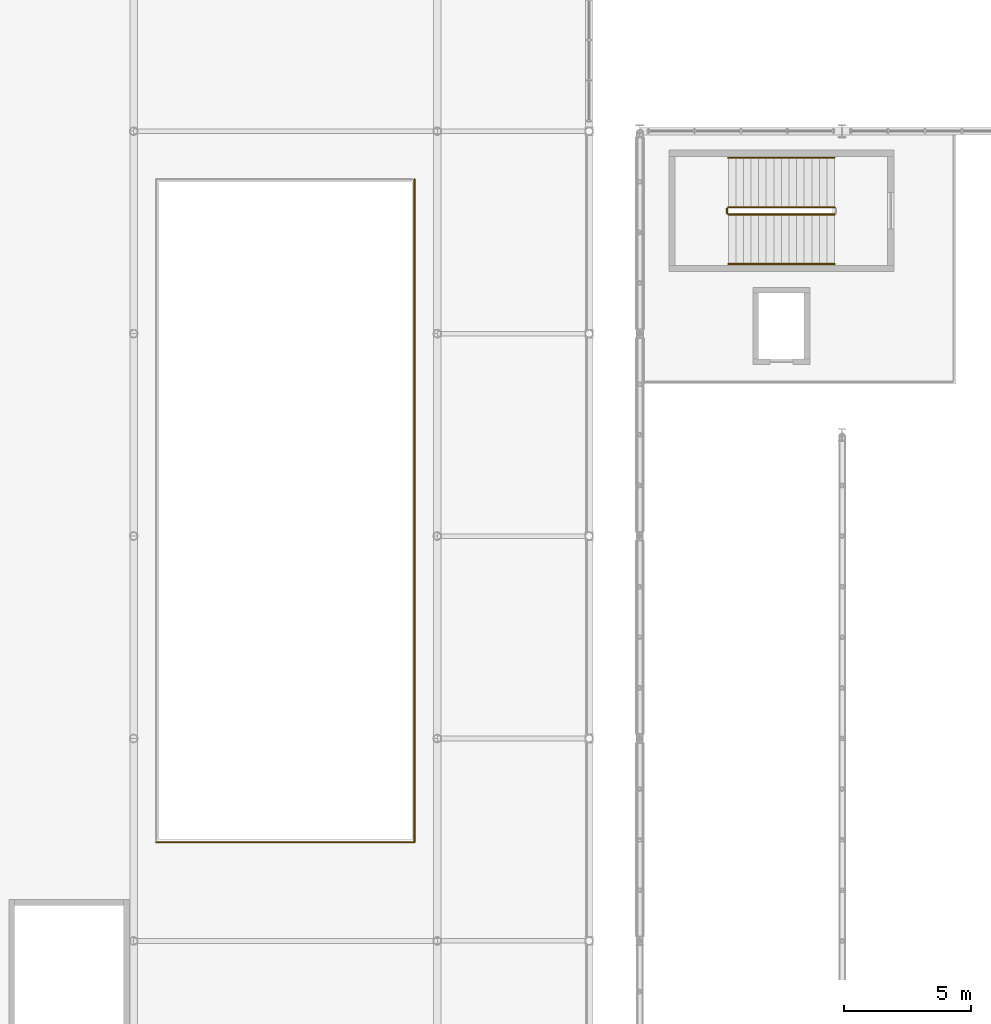
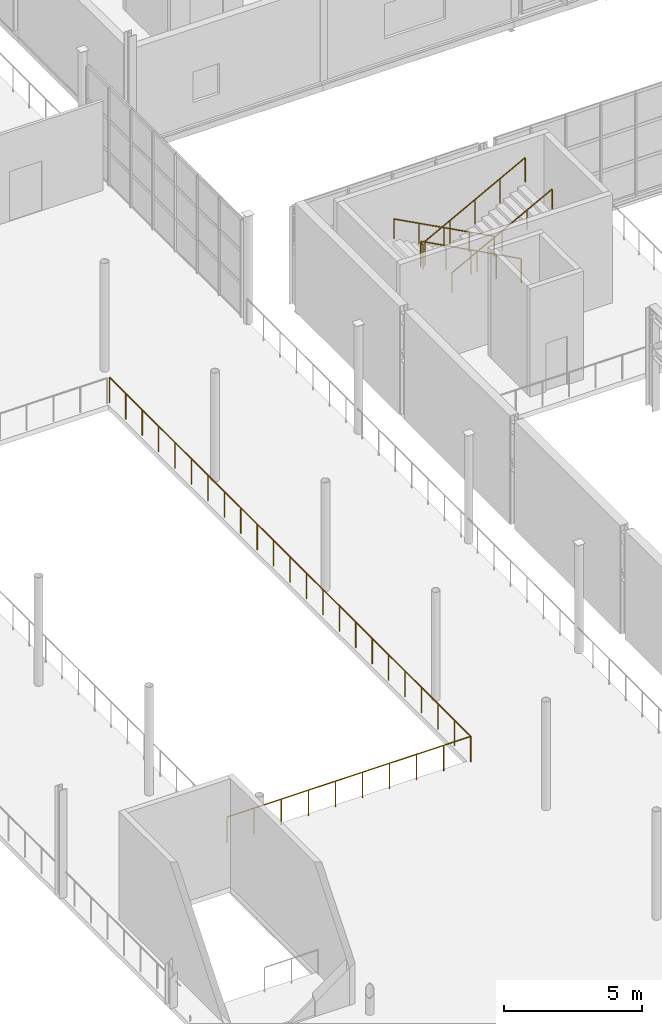
# One storey, part 132 of 143: 6 railings.
"""IFC4 building model written with IfcOpenShell, lengths in metres."""

from ifc_helpers import new_model, si_unit, derived_unit, direction, frame, origin, origin_2d, place, context, subcontext, project, spatial, circle, extrude, material, type_object, element, save


model = new_model("IFC4")

# Units and contexts
model_context = context("Model", 3, precision=1e-05, world=origin(), true_north=direction((0.0, 1.0)))
body_context = subcontext(model_context, "Body", "Model", "MODEL_VIEW")
ifc_project = project(units=[si_unit("LENGTHUNIT", "METRE"), si_unit("AREAUNIT", "SQUARE_METRE"), si_unit("VOLUMEUNIT", "CUBIC_METRE"), si_unit("PLANEANGLEUNIT", "RADIAN"), si_unit("MASSUNIT", "GRAM", prefix="KILO"), derived_unit("THERMALTRANSMITTANCEUNIT", [(si_unit("POWERUNIT", "WATT"), 1), (si_unit("LENGTHUNIT", "METRE"), -2), (si_unit("THERMODYNAMICTEMPERATUREUNIT", "KELVIN"), -1)])], contexts=[model_context])

# Site, building, storey
site_placement = place(None, origin())
site = spatial("IfcSite", under=ifc_project, at=site_placement, CompositionType="ELEMENT")
building_placement = place(site_placement, origin())
building = spatial("IfcBuilding", under=site, at=building_placement, Name="Keldorne Ridge Multi-Sports Centre", CompositionType="ELEMENT")
storey_placement = place(building_placement, frame((0.0, 0.0, 4.800048828125)))
storey = spatial("IfcBuildingStorey", under=building, at=storey_placement, Name="L01", CompositionType="ELEMENT", Elevation=4.800048828125)

# Railings
ifc_material_1 = material(Name="Laminated glass and stainless steel", Category="steel")
railing_type_1 = type_object("IfcRailingType", Name="RLG-BL-01", PredefinedType="BALUSTRADE", material=ifc_material_1)
railing_1_placement = place(storey_placement, frame((111.699951171875, 50.989990234375, 0.159912109375)))
element("IfcRailing", 1, at=railing_1_placement, inside=storey, type_object=railing_type_1, Name="L01 ST-04 stair guard 1", PredefinedType="BALUSTRADE", context=body_context, shape_type="SweptSolid", body=[
    extrude(circle(Radius=0.02392578125, at=origin_2d()), frame((0.0, 0.0, 1.076171875), z_axis=(-0.882351521365, 0.0, 0.470590897432), x_axis=(0.0, -1.0, 0.0)), (0.0, 0.0, 1.0), 4.760009765625),
    extrude(circle(Radius=0.02099609375, at=origin_2d()), origin(), (0.0, 0.0, 1.0), 1.052001953125),
    extrude(circle(Radius=0.02099609375, at=origin_2d()), frame((-1.050048828125, 0.0, 0.56005859375)), (0.0, 0.0, 1.0), 1.052001953125),
    extrude(circle(Radius=0.02099609375, at=origin_2d()), frame((-2.10009765625, 0.0, 1.1201171875)), (0.0, 0.0, 1.0), 1.052001953125),
    extrude(circle(Radius=0.02099609375, at=origin_2d()), frame((-3.14990234375, 0.0, 1.679931640625)), (0.0, 0.0, 1.0), 1.052001953125),
    extrude(circle(Radius=0.02099609375, at=origin_2d()), frame((-4.199951171875, 0.0, 2.239990234375)), (0.0, 0.0, 1.0), 1.052001953125),
])
railing_2_placement = place(storey_placement, frame((107.449951171875, 50.93994140625, 2.39990234375)))
element("IfcRailing", 2, at=railing_2_placement, inside=storey, type_object=railing_type_1, Name="L01 ST-04 stair guard 2", PredefinedType="BALUSTRADE", context=body_context, shape_type="SweptSolid", body=[
    extrude(circle(Radius=0.02392578125, at=origin_2d()), frame((0.0, 0.0, 1.076171875), z_axis=(0.0, -1.0, 0.0), x_axis=(1.0, 0.0, 0.0)), (0.0, 0.0, 1.0), 0.179931640625),
    extrude(circle(Radius=0.02099609375, at=origin_2d()), origin(), (0.0, 0.0, 1.0), 1.052001953125),
    extrude(circle(Radius=0.02099609375, at=origin_2d()), frame((0.0, -0.179931640625, 0.0)), (0.0, 0.0, 1.0), 1.052001953125),
])
railing_3_placement = place(storey_placement, frame((107.5, 50.7099609375, 2.56005859375)))
element("IfcRailing", 3, at=railing_3_placement, inside=storey, type_object=railing_type_1, Name="L01 ST-04 stair guard 3", PredefinedType="BALUSTRADE", context=body_context, shape_type="SweptSolid", body=[
    extrude(circle(Radius=0.02392578125, at=origin_2d()), frame((0.0, 0.0, 1.076171875), z_axis=(0.882351521365, 0.0, 0.470590897432), x_axis=(0.0, 1.0, 0.0)), (0.0, 0.0, 1.0), 4.760009765625),
    extrude(circle(Radius=0.02099609375, at=origin_2d()), origin(), (0.0, 0.0, 1.0), 1.052001953125),
    extrude(circle(Radius=0.02099609375, at=origin_2d()), frame((1.050048828125, 0.0, 0.56005859375)), (0.0, 0.0, 1.0), 1.052001953125),
    extrude(circle(Radius=0.02099609375, at=origin_2d()), frame((2.10009765625, 0.0, 1.1201171875)), (0.0, 0.0, 1.0), 1.052001953125),
    extrude(circle(Radius=0.02099609375, at=origin_2d()), frame((3.14990234375, 0.0, 1.679931640625)), (0.0, 0.0, 1.0), 1.052001953125),
    extrude(circle(Radius=0.02099609375, at=origin_2d()), frame((4.199951171875, 0.0, 2.239990234375)), (0.0, 0.0, 1.0), 1.052001953125),
])
ifc_material_2 = material(Name="Painted steel", Category="steel")
railing_type_2 = type_object("IfcRailingType", Name="RLG-BL-02", PredefinedType="BALUSTRADE", material=ifc_material_2)
railing_4_placement = place(storey_placement, frame((84.89990234375, 25.89990234375, 0.0)))
element("IfcRailing", 4, at=railing_4_placement, inside=storey, type_object=railing_type_2, Name="Safety balustrade RLG-V4-VD1A", PredefinedType="BALUSTRADE", context=body_context, shape_type="SweptSolid", body=[
    extrude(circle(Radius=0.02392578125, at=origin_2d()), frame((0.0, 0.0, 1.1259765625), z_axis=(1.0, 0.0, 0.0), x_axis=(0.0, 1.0, 0.0)), (0.0, 0.0, 1.0), 10.2001953125),
    extrude(circle(Radius=0.02392578125, at=origin_2d()), frame((10.2001953125, 0.0, 1.1259765625), z_axis=(0.0, 1.0, 0.0), x_axis=(-1.0, 0.0, 0.0)), (0.0, 0.0, 1.0), 26.2001953125),
    extrude(circle(Radius=0.02099609375, at=origin_2d()), origin(), (0.0, 0.0, 1.0), 1.101806640625),
    extrude(circle(Radius=0.02099609375, at=origin_2d()), frame((1.13330078125, 0.0, 0.0)), (0.0, 0.0, 1.0), 1.101806640625),
    extrude(circle(Radius=0.02099609375, at=origin_2d()), frame((2.2666015625, 0.0, 0.0)), (0.0, 0.0, 1.0), 1.101806640625),
    extrude(circle(Radius=0.02099609375, at=origin_2d()), frame((3.400146484375, 0.0, 0.0)), (0.0, 0.0, 1.0), 1.101806640625),
    extrude(circle(Radius=0.02099609375, at=origin_2d()), frame((4.533447265625, 0.0, 0.0)), (0.0, 0.0, 1.0), 1.101806640625),
    extrude(circle(Radius=0.02099609375, at=origin_2d()), frame((5.666748046875, 0.0, 0.0)), (0.0, 0.0, 1.0), 1.101806640625),
    extrude(circle(Radius=0.02099609375, at=origin_2d()), frame((6.800048828125, 0.0, 0.0)), (0.0, 0.0, 1.0), 1.101806640625),
    extrude(circle(Radius=0.02099609375, at=origin_2d()), frame((7.93359375, 0.0, 0.0)), (0.0, 0.0, 1.0), 1.101806640625),
    extrude(circle(Radius=0.02099609375, at=origin_2d()), frame((9.06689453125, 0.0, 0.0)), (0.0, 0.0, 1.0), 1.101806640625),
    extrude(circle(Radius=0.02099609375, at=origin_2d()), frame((10.2001953125, 0.0, 0.0)), (0.0, 0.0, 1.0), 1.101806640625),
    extrude(circle(Radius=0.02099609375, at=origin_2d()), frame((10.2001953125, 1.19091796875, 0.0)), (0.0, 0.0, 1.0), 1.101806640625),
    extrude(circle(Radius=0.02099609375, at=origin_2d()), frame((10.2001953125, 2.3818359375, 0.0)), (0.0, 0.0, 1.0), 1.101806640625),
    extrude(circle(Radius=0.02099609375, at=origin_2d()), frame((10.2001953125, 3.57275390625, 0.0)), (0.0, 0.0, 1.0), 1.101806640625),
    extrude(circle(Radius=0.02099609375, at=origin_2d()), frame((10.2001953125, 4.763671875, 0.0)), (0.0, 0.0, 1.0), 1.101806640625),
    extrude(circle(Radius=0.02099609375, at=origin_2d()), frame((10.2001953125, 5.95458984375, 0.0)), (0.0, 0.0, 1.0), 1.101806640625),
    extrude(circle(Radius=0.02099609375, at=origin_2d()), frame((10.2001953125, 7.1455078125, 0.0)), (0.0, 0.0, 1.0), 1.101806640625),
    extrude(circle(Radius=0.02099609375, at=origin_2d()), frame((10.2001953125, 8.33642578125, 0.0)), (0.0, 0.0, 1.0), 1.101806640625),
    extrude(circle(Radius=0.02099609375, at=origin_2d()), frame((10.2001953125, 9.52734375, 0.0)), (0.0, 0.0, 1.0), 1.101806640625),
    extrude(circle(Radius=0.02099609375, at=origin_2d()), frame((10.2001953125, 10.71826171875, 0.0)), (0.0, 0.0, 1.0), 1.101806640625),
    extrude(circle(Radius=0.02099609375, at=origin_2d()), frame((10.2001953125, 11.9091796875, 0.0)), (0.0, 0.0, 1.0), 1.101806640625),
    extrude(circle(Radius=0.02099609375, at=origin_2d()), frame((10.2001953125, 13.10009765625, 0.0)), (0.0, 0.0, 1.0), 1.101806640625),
    extrude(circle(Radius=0.02099609375, at=origin_2d()), frame((10.2001953125, 14.291015625, 0.0)), (0.0, 0.0, 1.0), 1.101806640625),
    extrude(circle(Radius=0.02099609375, at=origin_2d()), frame((10.2001953125, 15.48193359375, 0.0)), (0.0, 0.0, 1.0), 1.101806640625),
    extrude(circle(Radius=0.02099609375, at=origin_2d()), frame((10.2001953125, 16.6728515625, 0.0)), (0.0, 0.0, 1.0), 1.101806640625),
    extrude(circle(Radius=0.02099609375, at=origin_2d()), frame((10.2001953125, 17.86376953125, 0.0)), (0.0, 0.0, 1.0), 1.101806640625),
    extrude(circle(Radius=0.02099609375, at=origin_2d()), frame((10.2001953125, 19.0546875, 0.0)), (0.0, 0.0, 1.0), 1.101806640625),
    extrude(circle(Radius=0.02099609375, at=origin_2d()), frame((10.2001953125, 20.24560546875, 0.0)), (0.0, 0.0, 1.0), 1.101806640625),
    extrude(circle(Radius=0.02099609375, at=origin_2d()), frame((10.2001953125, 21.4365234375, 0.0)), (0.0, 0.0, 1.0), 1.101806640625),
    extrude(circle(Radius=0.02099609375, at=origin_2d()), frame((10.2001953125, 22.62744140625, 0.0)), (0.0, 0.0, 1.0), 1.101806640625),
    extrude(circle(Radius=0.02099609375, at=origin_2d()), frame((10.2001953125, 23.818359375, 0.0)), (0.0, 0.0, 1.0), 1.101806640625),
    extrude(circle(Radius=0.02099609375, at=origin_2d()), frame((10.2001953125, 25.00927734375, 0.0)), (0.0, 0.0, 1.0), 1.101806640625),
    extrude(circle(Radius=0.02099609375, at=origin_2d()), frame((10.2001953125, 26.2001953125, 0.0)), (0.0, 0.0, 1.0), 1.101806640625),
])
ifc_material_3 = material(Name="Stainless steel", Category="steel")
railing_type_3 = type_object("IfcRailingType", Name="RLG-HR-01", PredefinedType="HANDRAIL", material=ifc_material_3)
railing_5_placement = place(storey_placement, frame((111.699951171875, 52.949951171875, 0.159912109375)))
element("IfcRailing", 5, at=railing_5_placement, inside=storey, type_object=railing_type_3, Name="L01 ST-04 stair handrail 1", PredefinedType="HANDRAIL", context=body_context, shape_type="SweptSolid", body=[
    extrude(circle(Radius=0.02392578125, at=origin_2d()), frame((0.0, 0.0, 0.8759765625), z_axis=(-0.882351521365, 0.0, 0.470590897432), x_axis=(0.0, -1.0, 0.0)), (0.0, 0.0, 1.0), 4.760009765625),
    extrude(circle(Radius=0.02099609375, at=origin_2d()), origin(), (0.0, 0.0, 1.0), 0.851806640625),
    extrude(circle(Radius=0.02099609375, at=origin_2d()), frame((-1.050048828125, 0.0, 0.56005859375)), (0.0, 0.0, 1.0), 0.851806640625),
    extrude(circle(Radius=0.02099609375, at=origin_2d()), frame((-2.10009765625, 0.0, 1.1201171875)), (0.0, 0.0, 1.0), 0.851806640625),
    extrude(circle(Radius=0.02099609375, at=origin_2d()), frame((-3.14990234375, 0.0, 1.679931640625)), (0.0, 0.0, 1.0), 0.851806640625),
    extrude(circle(Radius=0.02099609375, at=origin_2d()), frame((-4.199951171875, 0.0, 2.239990234375)), (0.0, 0.0, 1.0), 0.851806640625),
])
railing_6_placement = place(storey_placement, frame((107.5, 48.75, 2.56005859375)))
element("IfcRailing", 6, at=railing_6_placement, inside=storey, type_object=railing_type_3, Name="L01 ST-04 stair handrail 2", PredefinedType="HANDRAIL", context=body_context, shape_type="SweptSolid", body=[
    extrude(circle(Radius=0.02392578125, at=origin_2d()), frame((0.0, 0.0, 0.8759765625), z_axis=(0.882351521365, 0.0, 0.470590897432), x_axis=(0.0, 1.0, 0.0)), (0.0, 0.0, 1.0), 4.760009765625),
    extrude(circle(Radius=0.02099609375, at=origin_2d()), origin(), (0.0, 0.0, 1.0), 0.851806640625),
    extrude(circle(Radius=0.02099609375, at=origin_2d()), frame((1.050048828125, 0.0, 0.56005859375)), (0.0, 0.0, 1.0), 0.851806640625),
    extrude(circle(Radius=0.02099609375, at=origin_2d()), frame((2.10009765625, 0.0, 1.1201171875)), (0.0, 0.0, 1.0), 0.851806640625),
    extrude(circle(Radius=0.02099609375, at=origin_2d()), frame((3.14990234375, 0.0, 1.679931640625)), (0.0, 0.0, 1.0), 0.851806640625),
    extrude(circle(Radius=0.02099609375, at=origin_2d()), frame((4.199951171875, 0.0, 2.239990234375)), (0.0, 0.0, 1.0), 0.851806640625),
])

save(model, "model.ifc")
